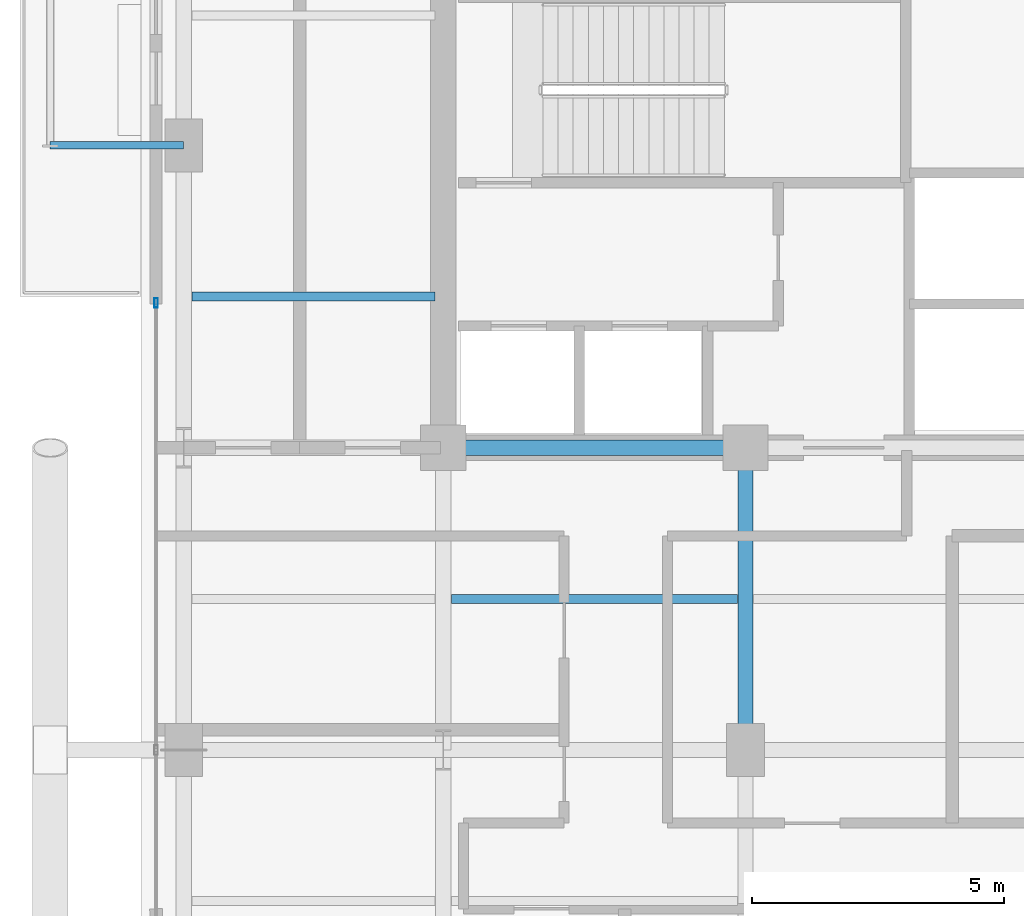
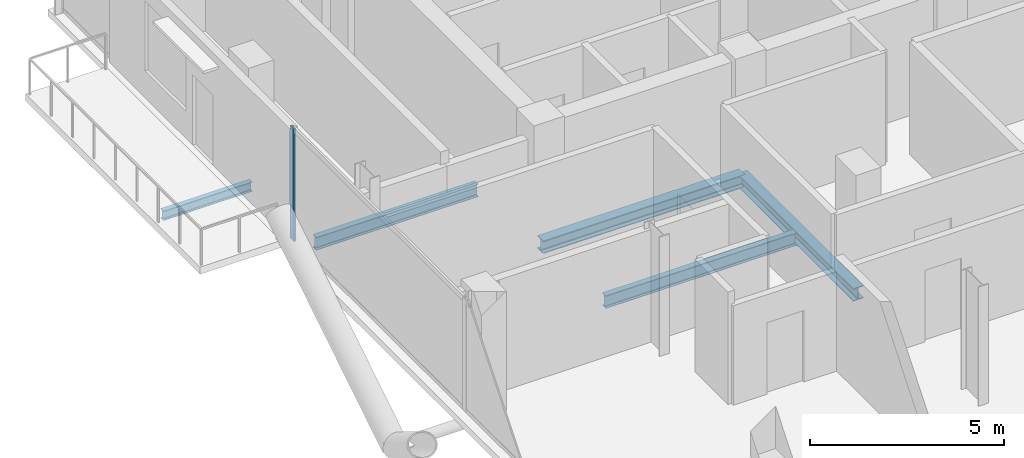
# One storey, part 7 of 26: 5 beams, 1 member, 1 element without a shape of its own.
"""IFC4 building model written with IfcOpenShell, lengths in metres."""

from ifc_helpers import new_model, si_unit, direction, frame, origin, origin_2d, place, context, subcontext, project, spatial, hollow_rectangle, i_section, extrude, material, layer, layer_set, material_profile, profile_set, type_object, element, aggregate, save


model = new_model("IFC4")

# Units and contexts
model_context = context("Model", 3, precision=1e-05, world=origin(), true_north=direction((0.0, 1.0)))
body_context = subcontext(model_context, "Body", "Model", "MODEL_VIEW")
ifc_project = project(units=[si_unit("LENGTHUNIT", "METRE"), si_unit("AREAUNIT", "SQUARE_METRE"), si_unit("VOLUMEUNIT", "CUBIC_METRE"), si_unit("PLANEANGLEUNIT", "RADIAN"), si_unit("MASSUNIT", "GRAM", prefix="KILO"), si_unit("THERMODYNAMICTEMPERATUREUNIT", "KELVIN"), si_unit("POWERUNIT", "WATT")], contexts=[model_context])

# Site, building, storey
site_placement = place(None, origin())
site = spatial("IfcSite", under=ifc_project, at=site_placement, CompositionType="ELEMENT")
building_placement = place(site_placement, origin())
building = spatial("IfcBuilding", under=site, at=building_placement, Name="Svarakhadi Broadcast Tower", CompositionType="ELEMENT")
storey_placement = place(building_placement, frame((0.0, 0.0, 184.199951171875)))
storey = spatial("IfcBuildingStorey", under=building, at=storey_placement, Name="L45", CompositionType="ELEMENT", Elevation=184.199951171875)

# Beams
ifc_material_1 = material(Name="Steel S355J2 (IS 2062 E350C)", Category="steel")
ifc_material_profile_1 = material_profile(ifc_material_1, i_section(OverallWidth=0.179931640625, OverallDepth=0.39990234375, WebThickness=0.008544921875, FlangeThickness=0.013427734375, FilletRadius=0.02099609375, at=origin_2d()), Name="NPB 400x180x66")
ifc_profile_set_1 = profile_set([ifc_material_profile_1], Name="Steel S355J2 (IS 2062 E350C)")
beam_type_1 = type_object("IfcBeamType", Name="Beam_NPB400", PredefinedType="BEAM", material=ifc_profile_set_1)
beam_1_placement = place(storey_placement, frame((1.010009765625, 21.0, -0.409912109375), z_axis=(1.0, 0.0, 0.0), x_axis=(0.0, 1.0, 0.0)))
element("IfcBeam", 1, at=beam_1_placement, inside=storey, type_object=beam_type_1, Name="L45 Secondary Composite Beam SB003", PredefinedType="BEAM", context=body_context, shape_type="SweptSolid", body=[
    extrude(i_section(OverallWidth=0.179931640625, OverallDepth=0.39990234375, WebThickness=0.008544921875, FlangeThickness=0.013427734375, FilletRadius=0.02099609375, at=origin_2d()), origin(), (0.0, 0.0, 1.0), 4.830078125),
])
beam_2_placement = place(storey_placement, frame((6.159912109375, 15.0, -0.409912109375), z_axis=(1.0, 0.0, 0.0), x_axis=(0.0, 1.0, 0.0)))
element("IfcBeam", 2, at=beam_2_placement, inside=storey, type_object=beam_type_1, Name="L45 Secondary Composite Beam SB007", PredefinedType="BEAM", context=body_context, shape_type="SweptSolid", body=[
    extrude(i_section(OverallWidth=0.179931640625, OverallDepth=0.39990234375, WebThickness=0.008544921875, FlangeThickness=0.013427734375, FilletRadius=0.02099609375, at=origin_2d()), origin(), (0.0, 0.0, 1.0), 5.68017578125),
])

# Curtain wall, member
ifc_material_2 = material(Name="Anodised Bronze Aluminium AA 6063-T6", Category="aluminium")
ifc_layer = layer(ifc_material_2, 0.18994140625)
ifc_layer_set = layer_set([ifc_layer], Name="Anodised Bronze Aluminium AA 6063-T6")
curtain_wall_type = type_object("IfcCurtainWallType", Name="CW_Sys_04", PredefinedType="NOTDEFINED", material=ifc_layer_set)
curtain_wall_placement = place(storey_placement, origin())
curtain_wall = element("IfcCurtainWall", 3, at=curtain_wall_placement, inside=storey, type_object=curtain_wall_type, Name="L45 West Curtain Wall 02", PredefinedType="NOTDEFINED")
ifc_material_profile_2 = material_profile(ifc_material_2, hollow_rectangle(XDim=0.070068359375, YDim=0.18994140625, WallThickness=0.005615234375, at=origin_2d()), Name="ALU MULLION 190x70x6")
ifc_profile_set_2 = profile_set([ifc_material_profile_2], Name="Anodised Bronze Aluminium AA 6063-T6")
member_type = type_object("IfcMemberType", Name="CW_Sys_04_Mul", PredefinedType="MULLION", material=ifc_profile_set_2)
member_placement = place(storey_placement, frame((0.300048828125, 20.875, 0.0), z_axis=(0.0, 0.0, 1.0), x_axis=(-1.0, 0.0, 0.0)))
member = element("IfcMember", 4, at=member_placement, type_object=member_type, Name="CW-04 mullion 3", PredefinedType="MULLION", context=body_context, shape_type="SweptSolid", body=[
    extrude(hollow_rectangle(XDim=0.070068359375, YDim=0.18994140625, WallThickness=0.005615234375, at=origin_2d()), origin(), (0.0, 0.0, 1.0), 3.5400390625),
])
aggregate(curtain_wall, [member])

# Beams
ifc_material_profile_3 = material_profile(ifc_material_1, i_section(OverallWidth=0.300048828125, OverallDepth=0.39990234375, WebThickness=0.013427734375, FlangeThickness=0.02392578125, FilletRadius=0.027099609375, at=origin_2d()), Name="WPB 400x300x155")
ifc_profile_set_3 = profile_set([ifc_material_profile_3], Name="Steel S355J2 (IS 2062 E350C)")
beam_type_2 = type_object("IfcBeamType", Name="Girder_WPB400", PredefinedType="USERDEFINED", material=ifc_profile_set_3)
for number, where, z_axis, x_axis, name in (
    (5, (6.0, 18.0, -0.409912109375), (1.0, 0.0, 0.0), (0.0, 1.0, 0.0), "L45 Primary E-W Girder G021"),
    (6, (12.0, 12.0, -0.409912109375), (0.0, 1.0, 0.0), (-1.0, 0.0, 0.0), "L45 Primary N-S Girder G044"),
):
    element("IfcBeam", number, at=place(storey_placement, frame(where, z_axis=z_axis, x_axis=x_axis)), inside=storey, type_object=beam_type_2, Name=name, ObjectType="GIRDER", PredefinedType="USERDEFINED", context=body_context, shape_type="SweptSolid", body=[
        extrude(i_section(OverallWidth=0.300048828125, OverallDepth=0.39990234375, WebThickness=0.013427734375, FlangeThickness=0.02392578125, FilletRadius=0.027099609375, at=origin_2d()), origin(), (0.0, 0.0, 1.0), 6.0),
    ])
ifc_material_profile_4 = material_profile(ifc_material_1, i_section(OverallWidth=0.14990234375, OverallDepth=0.300048828125, WebThickness=0.007080078125, FlangeThickness=0.0107421875, FilletRadius=0.014892578125, at=origin_2d()), Name="NPB 300x150x37")
ifc_profile_set_4 = profile_set([ifc_material_profile_4], Name="Steel S355J2 (IS 2062 E350C)")
beam_type_3 = type_object("IfcBeamType", Name="Spandrel_NPB300", PredefinedType="SPANDREL", material=ifc_profile_set_4)
beam_3_placement = place(storey_placement, frame((0.85009765625, 24.0, -0.375), z_axis=(-1.0, 0.0, 0.0), x_axis=(0.0, -1.0, 0.0)))
element("IfcBeam", 7, at=beam_3_placement, inside=storey, type_object=beam_type_3, Name="L45 Balcony Cantilever Bracket 2A", PredefinedType="SPANDREL", context=body_context, shape_type="SweptSolid", body=[
    extrude(i_section(OverallWidth=0.14990234375, OverallDepth=0.300048828125, WebThickness=0.007080078125, FlangeThickness=0.0107421875, FilletRadius=0.014892578125, at=origin_2d()), origin(), (0.0, 0.0, 1.0), 2.650146484375),
])

save(model, "model.ifc")
